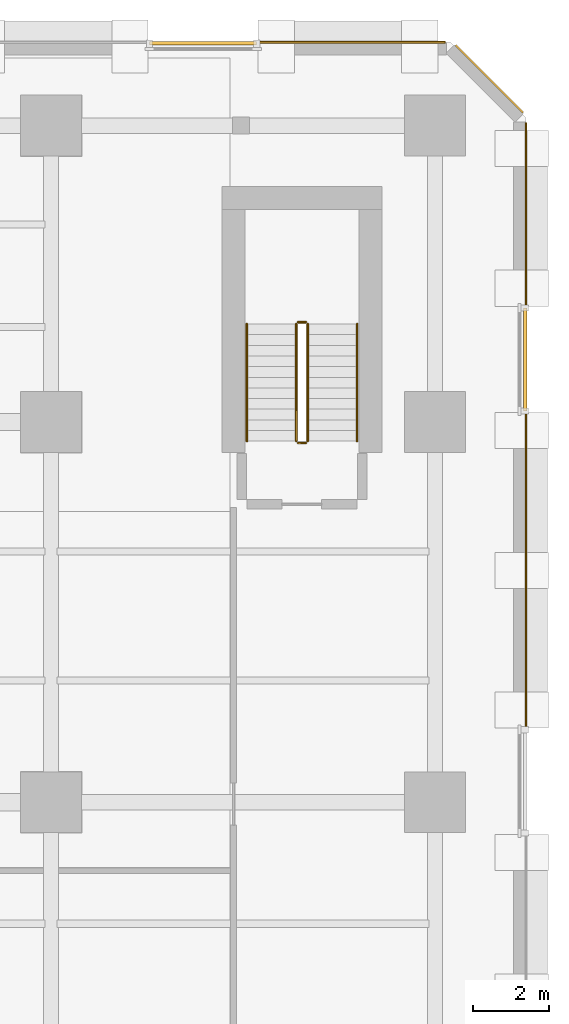
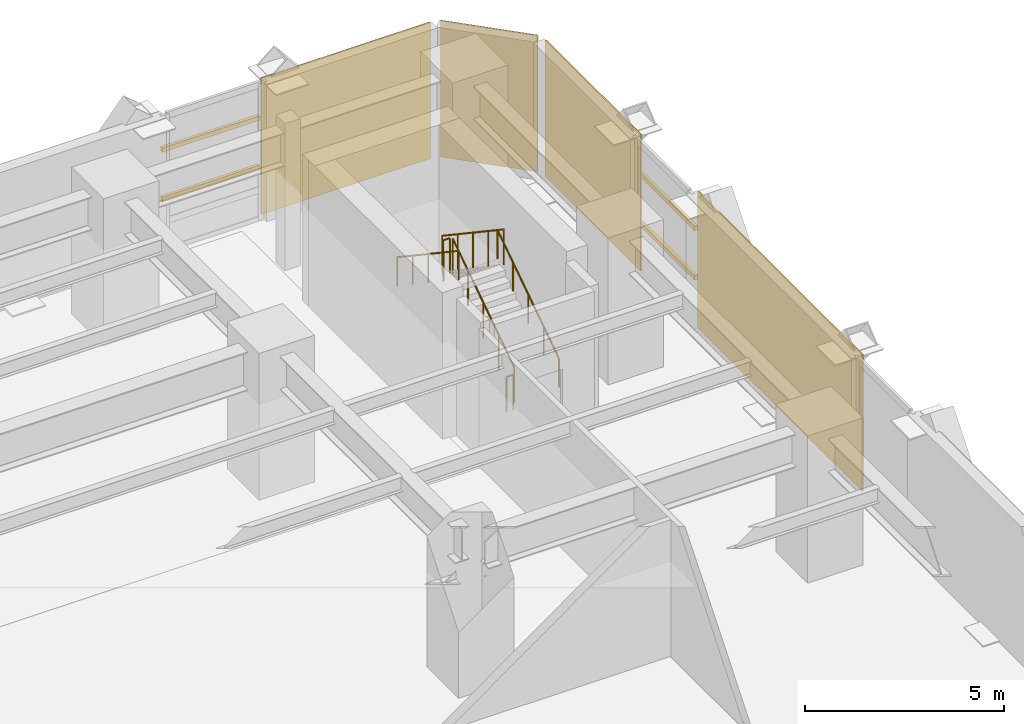
# One storey, part 26 of 26: 6 railings, 4 coverings, 4 shading devices.
"""IFC4 building model written with IfcOpenShell, lengths in metres."""

from ifc_helpers import new_model, si_unit, direction, frame, origin, origin_2d, place, context, subcontext, project, spatial, polyline, rectangle, circle, outline, extrude, material, layer, layer_set, material_profile, profile_set, type_object, element, save


model = new_model("IFC4")

# Units and contexts
model_context = context("Model", 3, precision=1e-05, world=origin(), true_north=direction((0.0, 1.0)))
body_context = subcontext(model_context, "Body", "Model", "MODEL_VIEW")
ifc_project = project(units=[si_unit("LENGTHUNIT", "METRE"), si_unit("AREAUNIT", "SQUARE_METRE"), si_unit("VOLUMEUNIT", "CUBIC_METRE"), si_unit("PLANEANGLEUNIT", "RADIAN"), si_unit("MASSUNIT", "GRAM", prefix="KILO")], contexts=[model_context])

# Site, building, storey
site_placement = place(None, origin())
site = spatial("IfcSite", under=ifc_project, at=site_placement, CompositionType="ELEMENT")
building_placement = place(site_placement, origin())
building = spatial("IfcBuilding", under=site, at=building_placement, Name="Quenlor Broadcast Tower", CompositionType="ELEMENT")
storey_placement = place(building_placement, frame((0.0, 0.0, 5.0)))
storey = spatial("IfcBuildingStorey", under=building, at=storey_placement, Name="L01", CompositionType="ELEMENT", Elevation=5.0)

# Shading devices
ifc_material_1 = material(Name="Architectural Terracotta Ceramic", Category="masonry")
ifc_material_profile = material_profile(ifc_material_1, rectangle(XDim=0.090087890625, YDim=0.139892578125, at=origin_2d()))
ifc_profile_set = profile_set([ifc_material_profile], Name="Architectural Terracotta Ceramic BAG90x140")
shading_device_type = type_object("IfcShadingDeviceType", Name="Copper Terracotta Baguette Solar Screen 140", PredefinedType="USERDEFINED", material=ifc_profile_set)
for number, where, z_axis, x_axis, name in (
    (1, (27.090576171875, 24.972900390625, 1.511962890625), (1.0, 0.0, 0.0), (0.0, 1.0, 0.0), "L01 Terracotta Baguette Screen 1"),
    (2, (27.090576171875, 24.972900390625, 3.02392578125), (1.0, 0.0, 0.0), (0.0, 1.0, 0.0), "L01 Terracotta Baguette Screen 2"),
):
    element("IfcShadingDevice", number, at=place(storey_placement, frame(where, z_axis=z_axis, x_axis=x_axis)), inside=storey, type_object=shading_device_type, Name=name, ObjectType="BAGUETTE", PredefinedType="USERDEFINED", context=body_context, shape_type="SweptSolid", body=[
        extrude(rectangle(XDim=0.090087890625, YDim=0.139892578125, at=origin_2d()), origin(), (0.0, 0.0, 1.0), 2.81884765625),
    ])
for number, where, z_axis, x_axis, name in (
    (3, (36.972900390625, 18.00634765625, 1.511962890625), (0.0, -1.0, 0.0), (1.0, 0.0, 0.0), "L01 Terracotta Baguette Screen 1"),
    (4, (36.972900390625, 18.00634765625, 3.02392578125), (0.0, -1.0, 0.0), (1.0, 0.0, 0.0), "L01 Terracotta Baguette Screen 2"),
):
    element("IfcShadingDevice", number, at=place(storey_placement, frame(where, z_axis=z_axis, x_axis=x_axis)), inside=storey, type_object=shading_device_type, Name=name, ObjectType="BAGUETTE", PredefinedType="USERDEFINED", context=body_context, shape_type="SweptSolid", body=[
        extrude(rectangle(XDim=0.090087890625, YDim=0.139892578125, at=origin_2d()), origin(), (0.0, 0.0, 1.0), 2.712646484375),
    ])

# Coverings
ifc_material_2 = material(Name="Architectural Terracotta Ceramic", Category="masonry")
ifc_layer = layer(ifc_material_2, 0.044921875)
ifc_layer_set = layer_set([ifc_layer], Name="Fluted Terracotta Rainscreen Cladding Panel")
covering_type = type_object("IfcCoveringType", Name="Fluted Terracotta Rainscreen Cladding Panel", PredefinedType="CLADDING", material=ifc_layer_set)
covering_1_placement = place(storey_placement, frame((0.0, 0.0, 0.02001953125)))
element("IfcCovering", 5, at=covering_1_placement, inside=storey, type_object=covering_type, Name="L01 Terracotta Rainscreen Cladding L01-N-FULL-SP6", PredefinedType="CLADDING", context=body_context, shape_type="SweptSolid", body=[
    extrude(outline(polyline([(29.98046875, 24.971923828125), (34.8701171875, 24.971923828125), (34.8701171875, 25.01708984375), (29.98046875, 25.01708984375), (29.98046875, 24.971923828125)])), origin(), (0.0, 0.0, 1.0), 4.159912109375),
])
covering_2_placement = place(storey_placement, frame((0.0, 0.0, 0.02001953125)))
element("IfcCovering", 6, at=covering_2_placement, inside=storey, type_object=covering_type, Name="L01 Terracotta Rainscreen Cladding L01-E-FULL-SP1", PredefinedType="CLADDING", context=body_context, shape_type="SweptSolid", body=[
    extrude(outline(polyline([(36.971923828125, 22.8701171875), (36.971923828125, 18.077392578125), (37.01708984375, 18.077392578125), (37.01708984375, 22.8701171875), (36.971923828125, 22.8701171875)])), origin(), (0.0, 0.0, 1.0), 4.159912109375),
])
covering_3_placement = place(storey_placement, frame((0.0, 0.0, 0.02001953125)))
element("IfcCovering", 7, at=covering_3_placement, inside=storey, type_object=covering_type, Name="L01 Terracotta Rainscreen Cladding L01-E-FULL-SP2", PredefinedType="CLADDING", context=body_context, shape_type="SweptSolid", body=[
    extrude(outline(polyline([(36.971923828125, 15.22265625), (36.971923828125, 6.977294921875), (37.01708984375, 6.977294921875), (37.01708984375, 15.22265625), (36.971923828125, 15.22265625)])), origin(), (0.0, 0.0, 1.0), 4.159912109375),
])
covering_4_placement = place(storey_placement, frame((0.0, 0.0, 0.02001953125)))
element("IfcCovering", 8, at=covering_4_placement, inside=storey, type_object=covering_type, Name="L01 Terracotta Rainscreen Cladding L01-EW-CNE", PredefinedType="CLADDING", context=body_context, shape_type="SweptSolid", body=[
    extrude(outline(polyline([(35.128662109375, 24.90625), (36.90625, 23.128662109375), (36.93798828125, 23.160400390625), (35.160400390625, 24.93798828125), (35.128662109375, 24.90625)])), origin(), (0.0, 0.0, 1.0), 4.159912109375),
])

# Railings
ifc_material_3 = material(Name="Anodised Aluminium", Category="aluminium")
railing_type_1 = type_object("IfcRailingType", Name="Stainless Aluminium Wall Handrail 900", PredefinedType="HANDRAIL", material=ifc_material_3)
railing_1_placement = place(storey_placement, frame((32.550048828125, 14.5, 0.1875)))
element("IfcRailing", 9, at=railing_1_placement, inside=storey, type_object=railing_type_1, Name="L01 ST-4 stair handrail 1", PredefinedType="HANDRAIL", context=body_context, shape_type="SweptSolid", body=[
    extrude(circle(Radius=0.02392578125, at=origin_2d()), frame((0.0, 0.0, 0.8759765625), z_axis=(0.0, 0.830913701846, 0.55640131208), x_axis=(-1.0, 0.0, 0.0)), (0.0, 0.0, 1.0), 3.706787109375),
    extrude(circle(Radius=0.02099609375, at=origin_2d()), origin(), (0.0, 0.0, 1.0), 0.851806640625),
    extrude(circle(Radius=0.02099609375, at=origin_2d()), frame((0.0, 0.77001953125, 0.515625)), (0.0, 0.0, 1.0), 0.851806640625),
    extrude(circle(Radius=0.02099609375, at=origin_2d()), frame((0.0, 1.5400390625, 1.03125)), (0.0, 0.0, 1.0), 0.851806640625),
    extrude(circle(Radius=0.02099609375, at=origin_2d()), frame((0.0, 2.31005859375, 1.546875)), (0.0, 0.0, 1.0), 0.851806640625),
    extrude(circle(Radius=0.02099609375, at=origin_2d()), frame((0.0, 3.080078125, 2.0625)), (0.0, 0.0, 1.0), 0.851806640625),
])
railing_2_placement = place(storey_placement, frame((29.64990234375, 17.580078125, 2.4375)))
element("IfcRailing", 10, at=railing_2_placement, inside=storey, type_object=railing_type_1, Name="L01 ST-4 stair handrail 2", PredefinedType="HANDRAIL", context=body_context, shape_type="SweptSolid", body=[
    extrude(circle(Radius=0.02392578125, at=origin_2d()), frame((0.0, 0.0, 0.8759765625), z_axis=(0.0, -0.830913701846, 0.55640131208), x_axis=(1.0, 0.0, 0.0)), (0.0, 0.0, 1.0), 3.706787109375),
    extrude(circle(Radius=0.02099609375, at=origin_2d()), origin(), (0.0, 0.0, 1.0), 0.851806640625),
    extrude(circle(Radius=0.02099609375, at=origin_2d()), frame((0.0, -0.77001953125, 0.515625)), (0.0, 0.0, 1.0), 0.851806640625),
    extrude(circle(Radius=0.02099609375, at=origin_2d()), frame((0.0, -1.5400390625, 1.03125)), (0.0, 0.0, 1.0), 0.851806640625),
    extrude(circle(Radius=0.02099609375, at=origin_2d()), frame((0.0, -2.31005859375, 1.546875)), (0.0, 0.0, 1.0), 0.851806640625),
    extrude(circle(Radius=0.02099609375, at=origin_2d()), frame((0.0, -3.080078125, 2.0625)), (0.0, 0.0, 1.0), 0.851806640625),
])
ifc_material_4 = material(Name="Steel S355", Category="steel")
railing_type_2 = type_object("IfcRailingType", Name="Tubular Steel S355 Stair Guardrail 1100", PredefinedType="BALUSTRADE", material=ifc_material_4)
railing_3_placement = place(storey_placement, frame((31.25, 14.5, 0.1875)))
element("IfcRailing", 11, at=railing_3_placement, inside=storey, type_object=railing_type_2, Name="L01 ST-4 stair guard 1", PredefinedType="BALUSTRADE", context=body_context, shape_type="SweptSolid", body=[
    extrude(circle(Radius=0.02392578125, at=origin_2d()), frame((0.0, 0.0, 1.076171875), z_axis=(0.0, 0.830913701846, 0.55640131208), x_axis=(-1.0, 0.0, 0.0)), (0.0, 0.0, 1.0), 3.706787109375),
    extrude(circle(Radius=0.02099609375, at=origin_2d()), origin(), (0.0, 0.0, 1.0), 1.052001953125),
    extrude(circle(Radius=0.02099609375, at=origin_2d()), frame((0.0, 0.77001953125, 0.515625)), (0.0, 0.0, 1.0), 1.052001953125),
    extrude(circle(Radius=0.02099609375, at=origin_2d()), frame((0.0, 1.5400390625, 1.03125)), (0.0, 0.0, 1.0), 1.052001953125),
    extrude(circle(Radius=0.02099609375, at=origin_2d()), frame((0.0, 2.31005859375, 1.546875)), (0.0, 0.0, 1.0), 1.052001953125),
    extrude(circle(Radius=0.02099609375, at=origin_2d()), frame((0.0, 3.080078125, 2.0625)), (0.0, 0.0, 1.0), 1.052001953125),
])
railing_4_placement = place(storey_placement, frame((31.199951171875, 17.6298828125, 2.25)))
element("IfcRailing", 12, at=railing_4_placement, inside=storey, type_object=railing_type_2, Name="L01 ST-4 stair guard 2", PredefinedType="BALUSTRADE", context=body_context, shape_type="SweptSolid", body=[
    extrude(circle(Radius=0.02392578125, at=origin_2d()), frame((0.0, 0.0, 1.076171875), z_axis=(-1.0, 0.0, 0.0), x_axis=(0.0, -1.0, 0.0)), (0.0, 0.0, 1.0), 0.199951171875),
    extrude(circle(Radius=0.02099609375, at=origin_2d()), origin(), (0.0, 0.0, 1.0), 1.052001953125),
    extrude(circle(Radius=0.02099609375, at=origin_2d()), frame((-0.199951171875, 0.0, 0.0)), (0.0, 0.0, 1.0), 1.052001953125),
])
railing_5_placement = place(storey_placement, frame((30.949951171875, 17.580078125, 2.4375)))
element("IfcRailing", 13, at=railing_5_placement, inside=storey, type_object=railing_type_2, Name="L01 ST-4 stair guard 3", PredefinedType="BALUSTRADE", context=body_context, shape_type="SweptSolid", body=[
    extrude(circle(Radius=0.02392578125, at=origin_2d()), frame((0.0, 0.0, 1.076171875), z_axis=(0.0, -0.830913701846, 0.55640131208), x_axis=(1.0, 0.0, 0.0)), (0.0, 0.0, 1.0), 3.706787109375),
    extrude(circle(Radius=0.02099609375, at=origin_2d()), origin(), (0.0, 0.0, 1.0), 1.052001953125),
    extrude(circle(Radius=0.02099609375, at=origin_2d()), frame((0.0, -0.77001953125, 0.515625)), (0.0, 0.0, 1.0), 1.052001953125),
    extrude(circle(Radius=0.02099609375, at=origin_2d()), frame((0.0, -1.5400390625, 1.03125)), (0.0, 0.0, 1.0), 1.052001953125),
    extrude(circle(Radius=0.02099609375, at=origin_2d()), frame((0.0, -2.31005859375, 1.546875)), (0.0, 0.0, 1.0), 1.052001953125),
    extrude(circle(Radius=0.02099609375, at=origin_2d()), frame((0.0, -3.080078125, 2.0625)), (0.0, 0.0, 1.0), 1.052001953125),
])
railing_6_placement = place(storey_placement, frame((31.199951171875, 14.449951171875, 0.0)))
element("IfcRailing", 14, at=railing_6_placement, inside=storey, type_object=railing_type_2, Name="L01 ST-4 stair guard 4", PredefinedType="BALUSTRADE", context=body_context, shape_type="SweptSolid", body=[
    extrude(circle(Radius=0.02392578125, at=origin_2d()), frame((0.0, 0.0, 1.076171875), z_axis=(-1.0, 0.0, 0.0), x_axis=(0.0, -1.0, 0.0)), (0.0, 0.0, 1.0), 0.199951171875),
    extrude(circle(Radius=0.02099609375, at=origin_2d()), origin(), (0.0, 0.0, 1.0), 1.052001953125),
    extrude(circle(Radius=0.02099609375, at=origin_2d()), frame((-0.199951171875, 0.0, 0.0)), (0.0, 0.0, 1.0), 1.052001953125),
])

save(model, "model.ifc")
